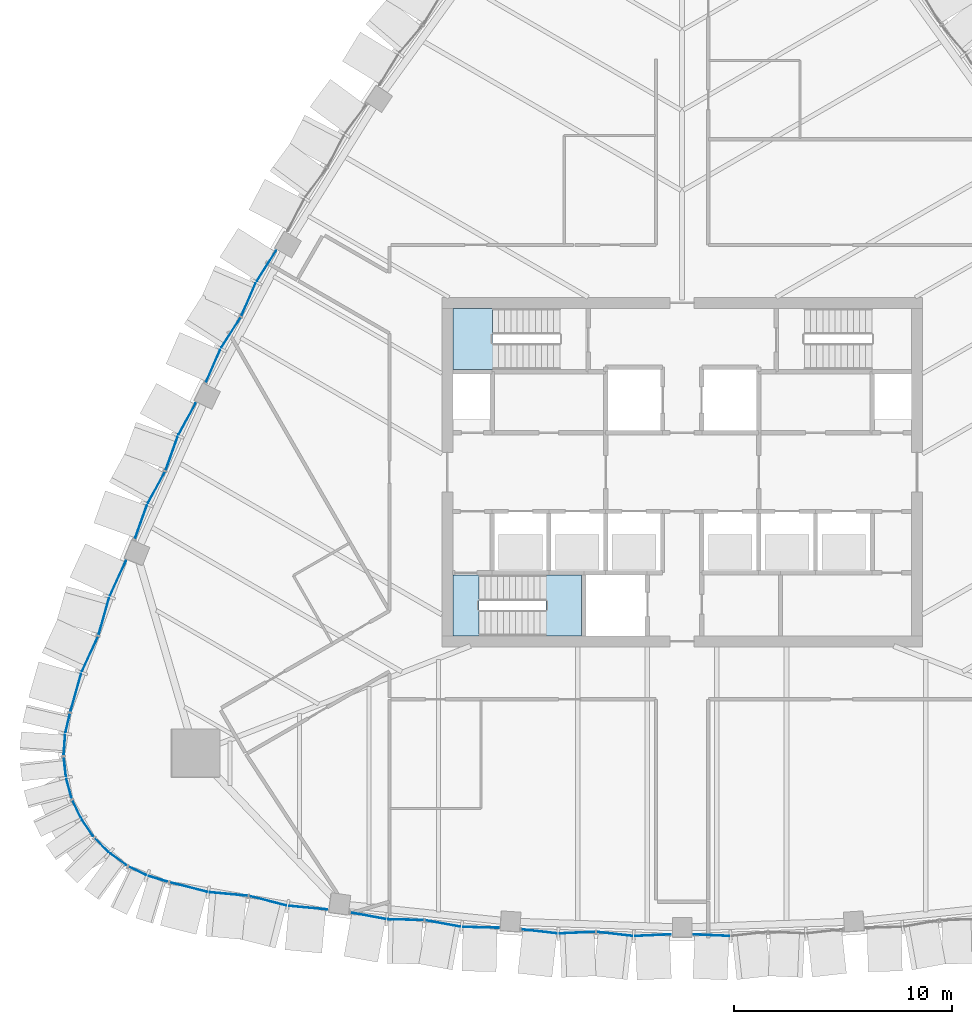
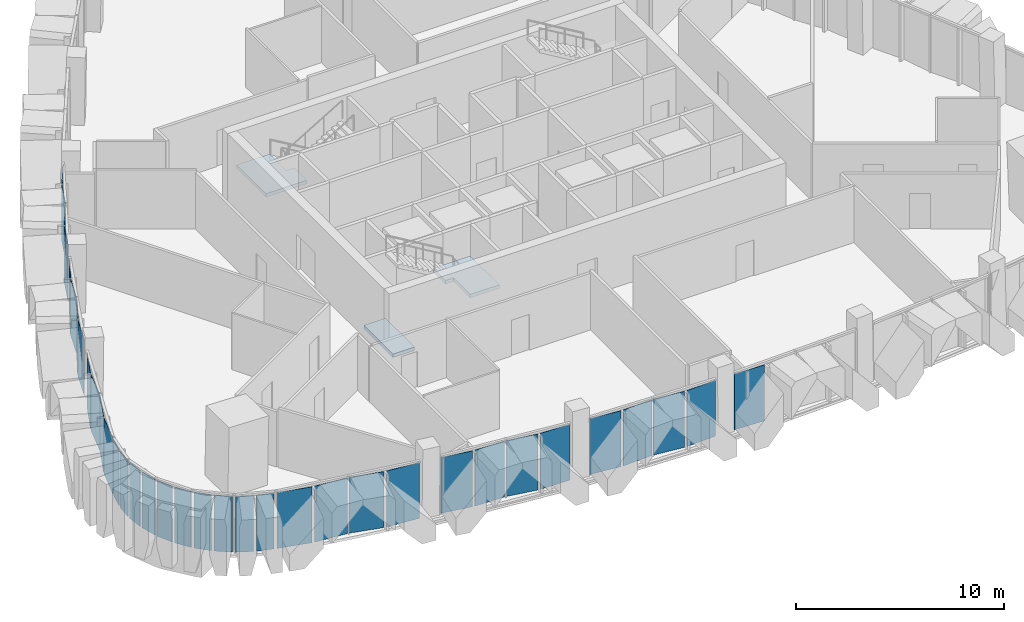
# One storey, part 8 of 19: 35 plates, 3 slabs, 14 elements without a shape of their own.
"""IFC4 building model written with IfcOpenShell, lengths in metres."""

from ifc_helpers import new_model, si_unit, direction, frame, origin, place, context, subcontext, project, spatial, polyline, outline, extrude, material, layer, layer_set, type_object, element, aggregate, save


model = new_model("IFC4")

# Units and contexts
model_context = context("Model", 3, precision=1e-05, world=origin(), true_north=direction((0.0, 1.0)))
body_context = subcontext(model_context, "Body", "Model", "MODEL_VIEW")
ifc_project = project(units=[si_unit("LENGTHUNIT", "METRE"), si_unit("AREAUNIT", "SQUARE_METRE"), si_unit("VOLUMEUNIT", "CUBIC_METRE"), si_unit("PLANEANGLEUNIT", "RADIAN"), si_unit("MASSUNIT", "GRAM", prefix="KILO")], contexts=[model_context])

# Site, building, storey
site_placement = place(None, origin())
site = spatial("IfcSite", under=ifc_project, at=site_placement, CompositionType="ELEMENT")
building_placement = place(site_placement, origin())
building = spatial("IfcBuilding", under=site, at=building_placement, Name="Sierra Prisma Convention Tower", CompositionType="ELEMENT")
storey_placement = place(building_placement, frame((0.0, 0.0, 231.0)))
storey = spatial("IfcBuildingStorey", under=building, at=storey_placement, Name="L51", CompositionType="ELEMENT", Elevation=231.0)

# Curtain wall, plates
ifc_material_1 = material(Name="Aluminium and glass curtain wall", Category="aluminium")
ifc_layer_1 = layer(ifc_material_1, 0.179931640625)
ifc_layer_set_1 = layer_set([ifc_layer_1], Name="CW-2 Faceted crystal curtain wall")
curtain_wall_type = type_object("IfcCurtainWallType", Name="CW-2 Faceted crystal curtain wall", PredefinedType="NOTDEFINED", material=ifc_layer_set_1)
curtain_wall_1_placement = place(storey_placement, origin())
curtain_wall_1 = element("IfcCurtainWall", 1, at=curtain_wall_1_placement, inside=storey, type_object=curtain_wall_type, Name="CW-2 S1 L51", PredefinedType="NOTDEFINED")
ifc_material_2 = material(Name="Tinted glass bronze-grey IGU", Category="glass")
ifc_layer_2 = layer(ifc_material_2, 0.028076171875)
ifc_layer_set_2 = layer_set([ifc_layer_2], Name="CW-2 crystal pane")
plate_type = type_object("IfcPlateType", Name="CW-2 crystal pane", PredefinedType="CURTAIN_PANEL", material=ifc_layer_set_2)
plate_1_placement = place(storey_placement, frame((-23.44873046875, -18.79248046875, 0.0), z_axis=(-0.246278753029, -0.969199038282, 0.0), x_axis=(0.969199038282, -0.246278753029, 0.0)))
plate_1 = element("IfcPlate", 2, at=plate_1_placement, type_object=plate_type, Name="CW-2 pane S1.1.1", PredefinedType="CURTAIN_PANEL", context=body_context, shape_type="SweptSolid", body=[
    extrude(outline(polyline([(0.0, 0.0), (1.7486854111562067, 0.0), (1.7486854111562067, 3.280029296875), (0.0, 3.280029296875), (0.0, 0.0)])), origin(), (0.0, 0.0, -1.0), 0.028076171875),
])
plate_2_placement = place(storey_placement, frame((-19.884765625, -19.405517578125, 0.0), z_axis=(-0.091718870915, -0.995784940998, 0.0), x_axis=(-0.995784940998, 0.091718870915, 0.0)))
plate_2 = element("IfcPlate", 3, at=plate_2_placement, type_object=plate_type, Name="CW-2 pane S1.1.2", PredefinedType="CURTAIN_PANEL", context=body_context, shape_type="SweptSolid", body=[
    extrude(outline(polyline([(0.0, 0.0), (1.748826484943547, 0.0), (1.748826484943547, -3.280029296875), (0.0, -3.280029296875), (0.0, 0.0)])), origin(), (0.0, 0.0, -1.0), 0.028076171875),
])
plate_3_placement = place(storey_placement, frame((-19.81591796875, -19.41748046875, 0.0), z_axis=(-0.246245432536, -0.969207504591, 0.0), x_axis=(0.969207504591, -0.246245432536, 0.0)))
plate_3 = element("IfcPlate", 4, at=plate_3_placement, type_object=plate_type, Name="CW-2 pane S1.2.1", PredefinedType="CURTAIN_PANEL", context=body_context, shape_type="SweptSolid", body=[
    extrude(outline(polyline([(0.0, 0.0), (1.7489220330487172, 0.0), (1.7489220330487172, 3.280029296875001), (0.0, 3.280029296875001), (0.0, 0.0)])), origin(), (0.0, 0.0, -1.0), 0.028076171875),
])
plate_4_placement = place(storey_placement, frame((-16.251953125, -20.030517578125, 0.0), z_axis=(-0.091731622897, -0.995783766367, 0.0), x_axis=(-0.995783766367, 0.091731622897, 0.0)))
plate_4 = element("IfcPlate", 5, at=plate_4_placement, type_object=plate_type, Name="CW-2 pane S1.2.2", PredefinedType="CURTAIN_PANEL", context=body_context, shape_type="SweptSolid", body=[
    extrude(outline(polyline([(0.0, 0.0), (1.748583373529064, 0.0), (1.748583373529064, -3.280029296875), (0.0, -3.280029296875), (0.0, 0.0)])), origin(), (0.0, 0.0, -1.0), 0.028076171875),
])
aggregate(curtain_wall_1, [plate_1, plate_2, plate_3, plate_4])

curtain_wall_2_placement = place(storey_placement, origin())
curtain_wall_2 = element("IfcCurtainWall", 6, at=curtain_wall_2_placement, inside=storey, type_object=curtain_wall_type, Name="CW-2 S2 L51", PredefinedType="NOTDEFINED")
plate_5_placement = place(storey_placement, frame((-15.17822265625, -20.17626953125, 0.0), z_axis=(-0.179705168241, -0.983720515445, 0.0), x_axis=(0.983720515445, -0.179705168241, 0.0)))
plate_5 = element("IfcPlate", 7, at=plate_5_placement, type_object=plate_type, Name="CW-2 pane S2.1.1", PredefinedType="CURTAIN_PANEL", context=body_context, shape_type="SweptSolid", body=[
    extrude(outline(polyline([(0.0, 0.0), (1.6248402333581484, 0.0), (1.6248402333581484, 3.280029296875001), (0.0, 3.280029296875001), (0.0, 0.0)])), origin(), (0.0, 0.0, -1.0), 0.028076171875),
])
plate_6_placement = place(storey_placement, frame((-11.826416015625, -20.52001953125, 0.0), z_axis=(-0.023738424439, -0.999718203898, 0.0), x_axis=(-0.999718203898, 0.023738424439, 0.0)))
plate_6 = element("IfcPlate", 8, at=plate_6_placement, type_object=plate_type, Name="CW-2 pane S2.1.2", PredefinedType="CURTAIN_PANEL", context=body_context, shape_type="SweptSolid", body=[
    extrude(outline(polyline([(0.0, 0.0), (1.6249696288571833, 0.0), (1.6249696288571833, -3.280029296875), (0.0, -3.280029296875), (0.0, 0.0)])), origin(), (0.0, 0.0, -1.0), 0.028076171875),
])
plate_7_placement = place(storey_placement, frame((-11.7568359375, -20.527099609375, 0.0), z_axis=(-0.179850565175, -0.983693943361, 0.0), x_axis=(0.983693943361, -0.179850565175, 0.0)))
plate_7 = element("IfcPlate", 9, at=plate_7_placement, type_object=plate_type, Name="CW-2 pane S2.2.1", PredefinedType="CURTAIN_PANEL", context=body_context, shape_type="SweptSolid", body=[
    extrude(outline(polyline([(0.0, 0.0), (1.6248841244391272, 0.0), (1.6248841244391272, 3.280029296875), (0.0, 3.280029296875), (0.0, 0.0)])), origin(), (0.0, 0.0, -1.0), 0.028076171875),
])
plate_8_placement = place(storey_placement, frame((-8.4052734375, -20.870849609375, 0.0), z_axis=(-0.023591808643, -0.99972167455, 0.0), x_axis=(-0.99972167455, 0.023591808643, 0.0)))
plate_8 = element("IfcPlate", 10, at=plate_8_placement, type_object=plate_type, Name="CW-2 pane S2.2.2", PredefinedType="CURTAIN_PANEL", context=body_context, shape_type="SweptSolid", body=[
    extrude(outline(polyline([(0.0, 0.0), (1.6247197789887098, 0.0), (1.6247197789887098, -3.280029296875), (0.0, -3.280029296875), (0.0, 0.0)])), origin(), (0.0, 0.0, -1.0), 0.028076171875),
])
aggregate(curtain_wall_2, [plate_5, plate_6, plate_7, plate_8])

curtain_wall_3_placement = place(storey_placement, origin())
curtain_wall_3 = element("IfcCurtainWall", 11, at=curtain_wall_3_placement, inside=storey, type_object=curtain_wall_type, Name="CW-2 S3 L51", PredefinedType="NOTDEFINED")
plate_9_placement = place(storey_placement, frame((-7.35595703125, -20.942138671875, 0.0), z_axis=(-0.112450015311, -0.993657382631, 0.0), x_axis=(0.993657382631, -0.112450015311, 0.0)))
plate_9 = element("IfcPlate", 12, at=plate_9_placement, type_object=plate_type, Name="CW-2 pane S3.1.1", PredefinedType="CURTAIN_PANEL", context=body_context, shape_type="SweptSolid", body=[
    extrude(outline(polyline([(0.0, 0.0), (1.632669853294698, 0.0), (1.632669853294698, 3.280029296875), (0.0, 3.280029296875), (0.0, 0.0)])), origin(), (0.0, 0.0, -1.0), 0.028076171875),
])
plate_10_placement = place(storey_placement, frame((-3.972900390625, -21.057373046875, 0.0), z_axis=(0.044559796774, -0.999006718952, 0.0), x_axis=(-0.999006718952, -0.044559796774, 0.0)))
plate_10 = element("IfcPlate", 13, at=plate_10_placement, type_object=plate_type, Name="CW-2 pane S3.1.2", PredefinedType="CURTAIN_PANEL", context=body_context, shape_type="SweptSolid", body=[
    extrude(outline(polyline([(0.0, 0.0), (1.6327252706927975, 0.0), (1.6327252706927975, -3.280029296875), (0.0, -3.280029296875), (0.0, 0.0)])), origin(), (0.0, 0.0, -1.0), 0.028076171875),
])
plate_11_placement = place(storey_placement, frame((-3.90283203125, -21.059814453125, 0.0), z_axis=(-0.112450015311, -0.993657382631, 0.0), x_axis=(0.993657382631, -0.112450015311, 0.0)))
plate_11 = element("IfcPlate", 14, at=plate_11_placement, type_object=plate_type, Name="CW-2 pane S3.2.1", PredefinedType="CURTAIN_PANEL", context=body_context, shape_type="SweptSolid", body=[
    extrude(outline(polyline([(0.0, 0.0), (1.632669853294698, 0.0), (1.632669853294698, 3.280029296875), (0.0, 3.280029296875), (0.0, 0.0)])), origin(), (0.0, 0.0, -1.0), 0.028076171875),
])
plate_12_placement = place(storey_placement, frame((-0.519775390625, -21.175048828125, 0.0), z_axis=(0.044559796774, -0.999006718952, 0.0), x_axis=(-0.999006718952, -0.044559796774, 0.0)))
plate_12 = element("IfcPlate", 15, at=plate_12_placement, type_object=plate_type, Name="CW-2 pane S3.2.2", PredefinedType="CURTAIN_PANEL", context=body_context, shape_type="SweptSolid", body=[
    extrude(outline(polyline([(0.0, 0.0), (1.6327252706927975, 0.0), (1.6327252706927975, -3.280029296875), (0.0, -3.280029296875), (0.0, 0.0)])), origin(), (0.0, 0.0, -1.0), 0.028076171875),
])
aggregate(curtain_wall_3, [plate_9, plate_10, plate_11, plate_12])

# Curtain wall, plate
curtain_wall_4_placement = place(storey_placement, origin())
curtain_wall_4 = element("IfcCurtainWall", 16, at=curtain_wall_4_placement, inside=storey, type_object=curtain_wall_type, Name="CW-2 S4 L51", PredefinedType="NOTDEFINED")
plate_13_placement = place(storey_placement, frame((0.519775390625, -21.175048828125, 0.0), z_axis=(-0.044559796774, -0.999006718952, 0.0), x_axis=(0.999006718952, -0.044559796774, 0.0)))
plate_13 = element("IfcPlate", 17, at=plate_13_placement, type_object=plate_type, Name="CW-2 pane S4.1.1", PredefinedType="CURTAIN_PANEL", context=body_context, shape_type="SweptSolid", body=[
    extrude(outline(polyline([(0.0, 0.0), (1.6327252706927975, 0.0), (1.6327252706927975, 3.280029296875), (0.0, 3.280029296875), (0.0, 0.0)])), origin(), (0.0, 0.0, -1.0), 0.028076171875),
])
aggregate(curtain_wall_4, [plate_13])

# Curtain wall, plates
curtain_wall_5_placement = place(storey_placement, origin())
curtain_wall_5 = element("IfcCurtainWall", 18, at=curtain_wall_5_placement, inside=storey, type_object=curtain_wall_type, Name="CW-2 NW4 L51", PredefinedType="NOTDEFINED")
plate_14_placement = place(storey_placement, frame((-18.59814453125, 10.137451171875, 0.0), z_axis=(-0.842927981219, 0.538026410577, 0.0), x_axis=(-0.538026410577, -0.842927981219, 0.0)))
plate_14 = element("IfcPlate", 19, at=plate_14_placement, type_object=plate_type, Name="CW-2 pane NW4.1.1", PredefinedType="CURTAIN_PANEL", context=body_context, shape_type="SweptSolid", body=[
    extrude(outline(polyline([(0.0, 0.0), (1.6326670057095982, 0.0), (1.6326670057095982, 3.280029296875), (0.0, 3.280029296875), (0.0, 0.0)])), origin(), (0.0, 0.0, -1.0), 0.028076171875),
])
plate_15_placement = place(storey_placement, frame((-20.189697265625, 7.14990234375, 0.0), z_axis=(-0.916722645415, 0.399524206255, 0.0), x_axis=(0.399524206255, 0.916722645415, 0.0)))
plate_15 = element("IfcPlate", 20, at=plate_15_placement, type_object=plate_type, Name="CW-2 pane NW4.1.2", PredefinedType="CURTAIN_PANEL", context=body_context, shape_type="SweptSolid", body=[
    extrude(outline(polyline([(0.0, 0.0), (1.6328015669315208, 0.0), (1.6328015669315208, -3.280029296875), (0.0, -3.280029296875), (0.0, 0.0)])), origin(), (0.0, 0.0, -1.0), 0.028076171875),
])
plate_16_placement = place(storey_placement, frame((-20.22265625, 7.088134765625, 0.0), z_axis=(-0.842971259252, 0.537958600707, 0.0), x_axis=(-0.537958600707, -0.842971259252, 0.0)))
plate_16 = element("IfcPlate", 21, at=plate_16_placement, type_object=plate_type, Name="CW-2 pane NW4.2.1", PredefinedType="CURTAIN_PANEL", context=body_context, shape_type="SweptSolid", body=[
    extrude(outline(polyline([(0.0, 0.0), (1.632872803957059, 0.0), (1.632872803957059, 3.280029296875), (0.0, 3.280029296875), (0.0, 0.0)])), origin(), (0.0, 0.0, -1.0), 0.028076171875),
])
plate_17_placement = place(storey_placement, frame((-21.814453125, 4.1005859375, 0.0), z_axis=(-0.916722645415, 0.399524206255, 0.0), x_axis=(0.399524206255, 0.916722645415, 0.0)))
plate_17 = element("IfcPlate", 22, at=plate_17_placement, type_object=plate_type, Name="CW-2 pane NW4.2.2", PredefinedType="CURTAIN_PANEL", context=body_context, shape_type="SweptSolid", body=[
    extrude(outline(polyline([(0.0, 0.0), (1.6328015669315208, 0.0), (1.6328015669315208, -3.280029296875), (0.0, -3.280029296875), (0.0, 0.0)])), origin(), (0.0, 0.0, -1.0), 0.028076171875),
])
aggregate(curtain_wall_5, [plate_14, plate_15, plate_16, plate_17])

curtain_wall_6_placement = place(storey_placement, origin())
curtain_wall_6 = element("IfcCurtainWall", 23, at=curtain_wall_6_placement, inside=storey, type_object=curtain_wall_type, Name="CW-2 NW5 L51", PredefinedType="NOTDEFINED")
plate_18_placement = place(storey_placement, frame((-22.27734375, 3.15625, 0.0), z_axis=(-0.877642791662, 0.479315272283, 0.0), x_axis=(-0.479315272283, -0.877642791662, 0.0)))
plate_18 = element("IfcPlate", 24, at=plate_18_placement, type_object=plate_type, Name="CW-2 pane NW5.1.1", PredefinedType="CURTAIN_PANEL", context=body_context, shape_type="SweptSolid", body=[
    extrude(outline(polyline([(0.0, 0.0), (1.6248357579786445, 0.0), (1.6248357579786445, 3.280029296875), (0.0, 3.280029296875), (0.0, 0.0)])), origin(), (0.0, 0.0, -1.0), 0.028076171875),
])
plate_19_placement = place(storey_placement, frame((-23.655517578125, 0.081787109375, 0.0), z_axis=(-0.941816677325, 0.336126979447, 0.0), x_axis=(0.336126979447, 0.941816677325, 0.0)))
plate_19 = element("IfcPlate", 25, at=plate_19_placement, type_object=plate_type, Name="CW-2 pane NW5.1.2", PredefinedType="CURTAIN_PANEL", context=body_context, shape_type="SweptSolid", body=[
    extrude(outline(polyline([(0.0, 0.0), (1.6248102994377798, 0.0), (1.6248102994377798, -3.280029296875001), (0.0, -3.280029296875001), (0.0, 0.0)])), origin(), (0.0, 0.0, -1.0), 0.028076171875),
])
plate_20_placement = place(storey_placement, frame((-23.68408203125, 0.017822265625, 0.0), z_axis=(-0.877608264648, 0.479378487025, 0.0), x_axis=(-0.479378487025, -0.877608264648, 0.0)))
plate_20 = element("IfcPlate", 26, at=plate_20_placement, type_object=plate_type, Name="CW-2 pane NW5.2.1", PredefinedType="CURTAIN_PANEL", context=body_context, shape_type="SweptSolid", body=[
    extrude(outline(polyline([(0.0, 0.0), (1.6246214939334072, 0.0), (1.6246214939334072, 3.280029296875001), (0.0, 3.280029296875001), (0.0, 0.0)])), origin(), (0.0, 0.0, -1.0), 0.028076171875),
])
plate_21_placement = place(storey_placement, frame((-25.062255859375, -3.056640625, 0.0), z_axis=(-0.941769103147, 0.336260250932, 0.0), x_axis=(0.336260250932, 0.941769103147, 0.0)))
plate_21 = element("IfcPlate", 27, at=plate_21_placement, type_object=plate_type, Name="CW-2 pane NW5.2.2", PredefinedType="CURTAIN_PANEL", context=body_context, shape_type="SweptSolid", body=[
    extrude(outline(polyline([(0.0, 0.0), (1.6248923779575244, 0.0), (1.6248923779575244, -3.280029296875), (0.0, -3.280029296875), (0.0, 0.0)])), origin(), (0.0, 0.0, -1.0), 0.028076171875),
])
aggregate(curtain_wall_6, [plate_18, plate_19, plate_20, plate_21])

curtain_wall_7_placement = place(storey_placement, origin())
curtain_wall_7 = element("IfcCurtainWall", 28, at=curtain_wall_7_placement, inside=storey, type_object=curtain_wall_type, Name="CW-2 NW6 L51", PredefinedType="NOTDEFINED")
plate_22_placement = place(storey_placement, frame((-25.472900390625, -4.059326171875, 0.0), z_axis=(-0.908241147307, 0.418447151188, 0.0), x_axis=(-0.418447151188, -0.908241147307, 0.0)))
plate_22 = element("IfcPlate", 29, at=plate_22_placement, type_object=plate_type, Name="CW-2 pane NW6.1.1", PredefinedType="CURTAIN_PANEL", context=body_context, shape_type="SweptSolid", body=[
    extrude(outline(polyline([(0.0, 0.0), (1.7485827088248171, 0.0), (1.7485827088248171, 3.280029296875), (0.0, 3.280029296875), (0.0, 0.0)])), origin(), (0.0, 0.0, -1.0), 0.028076171875),
])
plate_23_placement = place(storey_placement, frame((-26.723876953125, -7.452392578125, 0.0), z_axis=(-0.962513241344, 0.271234695857, 0.0), x_axis=(0.271234695857, 0.962513241344, 0.0)))
plate_23 = element("IfcPlate", 30, at=plate_23_placement, type_object=plate_type, Name="CW-2 pane NW6.1.2", PredefinedType="CURTAIN_PANEL", context=body_context, shape_type="SweptSolid", body=[
    extrude(outline(polyline([(0.0, 0.0), (1.7489105989062488, 0.0), (1.7489105989062488, -3.280029296875001), (0.0, -3.280029296875001), (0.0, 0.0)])), origin(), (0.0, 0.0, -1.0), 0.028076171875),
])
plate_24_placement = place(storey_placement, frame((-26.748046875, -7.51806640625, 0.0), z_axis=(-0.908188079634, 0.418562315564, 0.0), x_axis=(-0.418562315564, -0.908188079634, 0.0)))
plate_24 = element("IfcPlate", 31, at=plate_24_placement, type_object=plate_type, Name="CW-2 pane NW6.2.1", PredefinedType="CURTAIN_PANEL", context=body_context, shape_type="SweptSolid", body=[
    extrude(outline(polyline([(0.0, 0.0), (1.7486848828323998, 0.0), (1.7486848828323998, 3.280029296875), (0.0, 3.280029296875), (0.0, 0.0)])), origin(), (0.0, 0.0, -1.0), 0.028076171875),
])
plate_25_placement = place(storey_placement, frame((-27.9990234375, -10.910888671875, 0.0), z_axis=(-0.962502969452, 0.271271144422, 0.0), x_axis=(0.271271144422, 0.962502969452, 0.0)))
plate_25 = element("IfcPlate", 32, at=plate_25_placement, type_object=plate_type, Name="CW-2 pane NW6.2.2", PredefinedType="CURTAIN_PANEL", context=body_context, shape_type="SweptSolid", body=[
    extrude(outline(polyline([(0.0, 0.0), (1.7486756115757451, 0.0), (1.7486756115757451, -3.280029296875), (0.0, -3.280029296875), (0.0, 0.0)])), origin(), (0.0, 0.0, -1.0), 0.028076171875),
])
aggregate(curtain_wall_7, [plate_22, plate_23, plate_24, plate_25])

curtain_wall_8_placement = place(storey_placement, origin())
curtain_wall_8 = element("IfcCurtainWall", 33, at=curtain_wall_8_placement, inside=storey, type_object=curtain_wall_type, Name="CW-2 SW1 L51", PredefinedType="NOTDEFINED")
plate_26_placement = place(storey_placement, frame((-28.033935546875, -11.0458984375, 0.0), z_axis=(-0.973869837608, 0.227106889807, 0.0), x_axis=(-0.227106889807, -0.973869837608, 0.0)))
plate_26 = element("IfcPlate", 34, at=plate_26_placement, type_object=plate_type, Name="CW-2 pane SW1.1.1", PredefinedType="CURTAIN_PANEL", context=body_context, shape_type="SweptSolid", body=[
    extrude(outline(polyline([(0.0, 0.0), (0.8804275909253988, 0.0), (0.8804275909253988, 3.280029296875), (0.0, 3.280029296875), (0.0, 0.0)])), origin(), (0.0, 0.0, -1.0), 0.028076171875),
])
plate_27_placement = place(storey_placement, frame((-28.316650390625, -12.90966796875, 0.0), z_axis=(-0.997397815563, 0.072094365317, 0.0), x_axis=(0.072094365317, 0.997397815563, 0.0)))
plate_27 = element("IfcPlate", 35, at=plate_27_placement, type_object=plate_type, Name="CW-2 pane SW1.1.2", PredefinedType="CURTAIN_PANEL", context=body_context, shape_type="SweptSolid", body=[
    extrude(outline(polyline([(0.0, 0.0), (0.8804649603422805, 0.0), (0.8804649603422805, -3.280029296875), (0.0, -3.280029296875), (0.0, 0.0)])), origin(), (0.0, 0.0, -1.0), 0.028076171875),
])
aggregate(curtain_wall_8, [plate_26, plate_27])

curtain_wall_9_placement = place(storey_placement, origin())
curtain_wall_9 = element("IfcCurtainWall", 36, at=curtain_wall_9_placement, inside=storey, type_object=curtain_wall_type, Name="CW-2 SW2 L51", PredefinedType="NOTDEFINED")
plate_28_placement = place(storey_placement, frame((-28.314208984375, -13.047607421875, 0.0), z_axis=(-0.994164522233, -0.10787447675, 0.0), x_axis=(0.10787447675, -0.994164522233, 0.0)))
plate_28 = element("IfcPlate", 37, at=plate_28_placement, type_object=plate_type, Name="CW-2 pane SW2.1.1", PredefinedType="CURTAIN_PANEL", context=body_context, shape_type="SweptSolid", body=[
    extrude(outline(polyline([(0.0, 0.0), (0.8803815878074983, 0.0), (0.8803815878074983, 3.280029296875001), (0.0, 3.280029296875001), (0.0, 0.0)])), origin(), (0.0, 0.0, -1.0), 0.028076171875),
])
plate_29_placement = place(storey_placement, frame((-27.964599609375, -14.89990234375, 0.0), z_axis=(-0.965051222864, -0.26206132345, 0.0), x_axis=(-0.26206132345, 0.965051222864, 0.0)))
plate_29 = element("IfcPlate", 38, at=plate_29_placement, type_object=plate_type, Name="CW-2 pane SW2.1.2", PredefinedType="CURTAIN_PANEL", context=body_context, shape_type="SweptSolid", body=[
    extrude(outline(polyline([(0.0, 0.0), (0.8803774917547779, 0.0), (0.8803774917547779, -3.280029296875001), (0.0, -3.280029296875001), (0.0, 0.0)])), origin(), (0.0, 0.0, -1.0), 0.028076171875),
])
aggregate(curtain_wall_9, [plate_28, plate_29])

curtain_wall_10_placement = place(storey_placement, origin())
curtain_wall_10 = element("IfcCurtainWall", 39, at=curtain_wall_10_placement, inside=storey, type_object=curtain_wall_type, Name="CW-2 SW3 L51", PredefinedType="NOTDEFINED")
plate_30_placement = place(storey_placement, frame((-27.916748046875, -15.029296875, 0.0), z_axis=(-0.902537372049, -0.430611532655, 0.0), x_axis=(0.430611532655, -0.902537372049, 0.0)))
plate_30 = element("IfcPlate", 40, at=plate_30_placement, type_object=plate_type, Name="CW-2 pane SW3.1.1", PredefinedType="CURTAIN_PANEL", context=body_context, shape_type="SweptSolid", body=[
    extrude(outline(polyline([(0.0, 0.0), (0.8804928848221734, 0.0), (0.8804928848221734, 3.280029296875), (0.0, 3.280029296875), (0.0, 0.0)])), origin(), (0.0, 0.0, -1.0), 0.028076171875),
])
plate_31_placement = place(storey_placement, frame((-26.97412109375, -16.661865234375, 0.0), z_axis=(-0.824074284373, -0.566481750664, 0.0), x_axis=(-0.566481750664, 0.824074284373, 0.0)))
plate_31 = element("IfcPlate", 41, at=plate_31_placement, type_object=plate_type, Name="CW-2 pane SW3.1.2", PredefinedType="CURTAIN_PANEL", context=body_context, shape_type="SweptSolid", body=[
    extrude(outline(polyline([(0.0, 0.0), (0.8804860814850359, 0.0), (0.8804860814850359, -3.280029296875), (0.0, -3.280029296875), (0.0, 0.0)])), origin(), (0.0, 0.0, -1.0), 0.028076171875),
])
aggregate(curtain_wall_10, [plate_30, plate_31])

curtain_wall_11_placement = place(storey_placement, origin())
curtain_wall_11 = element("IfcCurtainWall", 42, at=curtain_wall_11_placement, inside=storey, type_object=curtain_wall_type, Name="CW-2 SW4 L51", PredefinedType="NOTDEFINED")
plate_32_placement = place(storey_placement, frame((-26.885986328125, -16.76806640625, 0.0), z_axis=(-0.709598032551, -0.704606721654, 0.0), x_axis=(0.704606721654, -0.709598032551, 0.0)))
plate_32 = element("IfcPlate", 43, at=plate_32_placement, type_object=plate_type, Name="CW-2 pane SW4.1.1", PredefinedType="CURTAIN_PANEL", context=body_context, shape_type="SweptSolid", body=[
    extrude(outline(polyline([(0.0, 0.0), (0.8804362902881779, 0.0), (0.8804362902881779, 3.280029296875), (0.0, 3.280029296875), (0.0, 0.0)])), origin(), (0.0, 0.0, -1.0), 0.028076171875),
])
plate_33_placement = place(storey_placement, frame((-25.45654296875, -17.9970703125, 0.0), z_axis=(-0.590329387623, -0.807162445923, 0.0), x_axis=(-0.807162445923, 0.590329387623, 0.0)))
plate_33 = element("IfcPlate", 44, at=plate_33_placement, type_object=plate_type, Name="CW-2 pane SW4.1.2", PredefinedType="CURTAIN_PANEL", context=body_context, shape_type="SweptSolid", body=[
    extrude(outline(polyline([(0.0, 0.0), (0.8804836783036323, 0.0), (0.8804836783036323, -3.280029296875), (0.0, -3.280029296875), (0.0, 0.0)])), origin(), (0.0, 0.0, -1.0), 0.028076171875),
])
aggregate(curtain_wall_11, [plate_32, plate_33])

curtain_wall_12_placement = place(storey_placement, origin())
curtain_wall_12 = element("IfcCurtainWall", 45, at=curtain_wall_12_placement, inside=storey, type_object=curtain_wall_type, Name="CW-2 SW5 L51", PredefinedType="NOTDEFINED")
plate_34_placement = place(storey_placement, frame((-25.33837890625, -18.068115234375, 0.0), z_axis=(-0.436423164503, -0.899741530377, 0.0), x_axis=(0.899741530377, -0.436423164503, 0.0)))
plate_34 = element("IfcPlate", 46, at=plate_34_placement, type_object=plate_type, Name="CW-2 pane SW5.1.1", PredefinedType="CURTAIN_PANEL", context=body_context, shape_type="SweptSolid", body=[
    extrude(outline(polyline([(0.0, 0.0), (0.880515460693643, 0.0), (0.880515460693643, 3.280029296875), (0.0, 3.280029296875), (0.0, 0.0)])), origin(), (0.0, 0.0, -1.0), 0.028076171875),
])
plate_35_placement = place(storey_placement, frame((-23.5830078125, -18.755126953125, 0.0), z_axis=(-0.290322916728, -0.95692873508, 0.0), x_axis=(-0.95692873508, 0.290322916728, 0.0)))
plate_35 = element("IfcPlate", 47, at=plate_35_placement, type_object=plate_type, Name="CW-2 pane SW5.1.2", PredefinedType="CURTAIN_PANEL", context=body_context, shape_type="SweptSolid", body=[
    extrude(outline(polyline([(0.0, 0.0), (0.8804514547306218, 0.0), (0.8804514547306218, -3.280029296875001), (0.0, -3.280029296875001), (0.0, 0.0)])), origin(), (0.0, 0.0, -1.0), 0.028076171875),
])
aggregate(curtain_wall_12, [plate_34, plate_35])

# Stair, slab
ifc_material_3 = material(Name="Concrete C30/37", Category="concrete")
stair_type = type_object("IfcStairType", Name="Stair dog-leg 1200 RC", PredefinedType="HALF_TURN_STAIR", material=ifc_material_3)
stair_1_placement = place(storey_placement, origin())
stair_1 = element("IfcStair", 48, at=stair_1_placement, inside=storey, type_object=stair_type, Name="L51 S1", PredefinedType="HALF_TURN_STAIR")
ifc_material_4 = material(Name="Concrete C35/45", Category="concrete")
ifc_layer_3 = layer(ifc_material_4, 0.199951171875)
ifc_layer_set_3 = layer_set([ifc_layer_3], Name="Stair landing slab")
slab_type = type_object("IfcSlabType", Name="Stair landing slab", PredefinedType="LANDING", material=ifc_layer_set_3)
slab_1_placement = place(storey_placement, frame((0.0, 0.0, 1.800048828125)))
slab_1 = element("IfcSlab", 49, at=slab_1_placement, type_object=slab_type, Name="S1 landing 1", PredefinedType="LANDING", context=body_context, shape_type="SweptSolid", body=[
    extrude(outline(polyline([(-4.60009765625, -4.699951171875), (-4.60009765625, -7.5), (-6.221923828125, -7.5), (-6.221923828125, -5.89990234375), (-6.669921875, -5.89990234375), (-6.669921875, -4.699951171875), (-4.60009765625, -4.699951171875)])), origin(), (0.0, 0.0, 1.0), 0.199951171875),
])
aggregate(stair_1, [slab_1])

# Slab
slab_2_placement = place(storey_placement, frame((0.0, 0.0, -0.199951171875)))
element("IfcSlab", 50, at=slab_2_placement, inside=storey, type_object=slab_type, Name="S1 floor landing L51", PredefinedType="LANDING", context=body_context, shape_type="SweptSolid", body=[
    extrude(outline(polyline([(-10.5, -7.5), (-9.298095703125, -7.5), (-9.298095703125, -4.699951171875), (-10.5, -4.699951171875), (-10.5, -7.5)])), origin(), (0.0, 0.0, 1.0), 0.199951171875),
])

# Stair, slab
stair_2_placement = place(storey_placement, origin())
stair_2 = element("IfcStair", 51, at=stair_2_placement, inside=storey, type_object=stair_type, Name="L51 S3", PredefinedType="HALF_TURN_STAIR")
slab_3_placement = place(storey_placement, frame((0.0, 0.0, 1.800048828125)))
slab_3 = element("IfcSlab", 52, at=slab_3_placement, type_object=slab_type, Name="S3 landing 1", PredefinedType="LANDING", context=body_context, shape_type="SweptSolid", body=[
    extrude(outline(polyline([(-8.22998046875, 5.89990234375), (-8.22998046875, 4.699951171875), (-10.5, 4.699951171875), (-10.5, 7.5), (-8.677978515625, 7.5), (-8.677978515625, 5.89990234375), (-8.22998046875, 5.89990234375)])), origin(), (0.0, 0.0, 1.0), 0.199951171875),
])
aggregate(stair_2, [slab_3])

save(model, "model.ifc")
